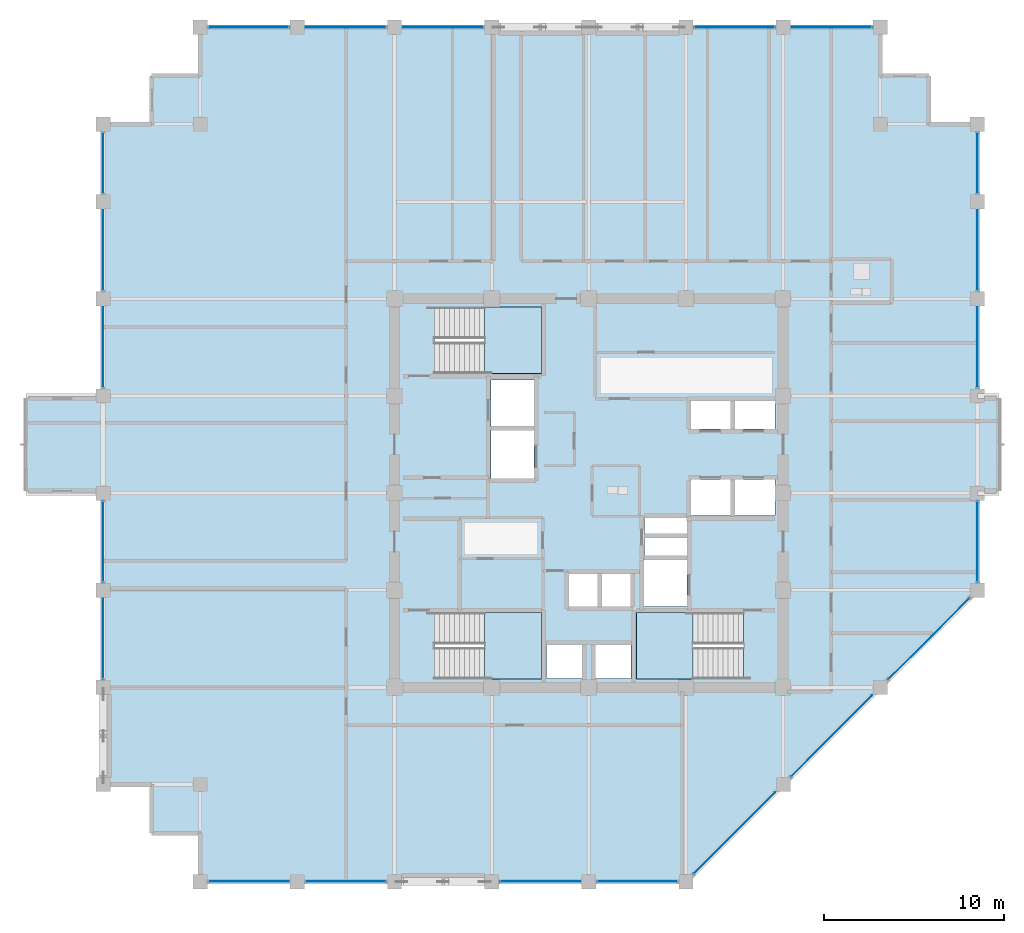
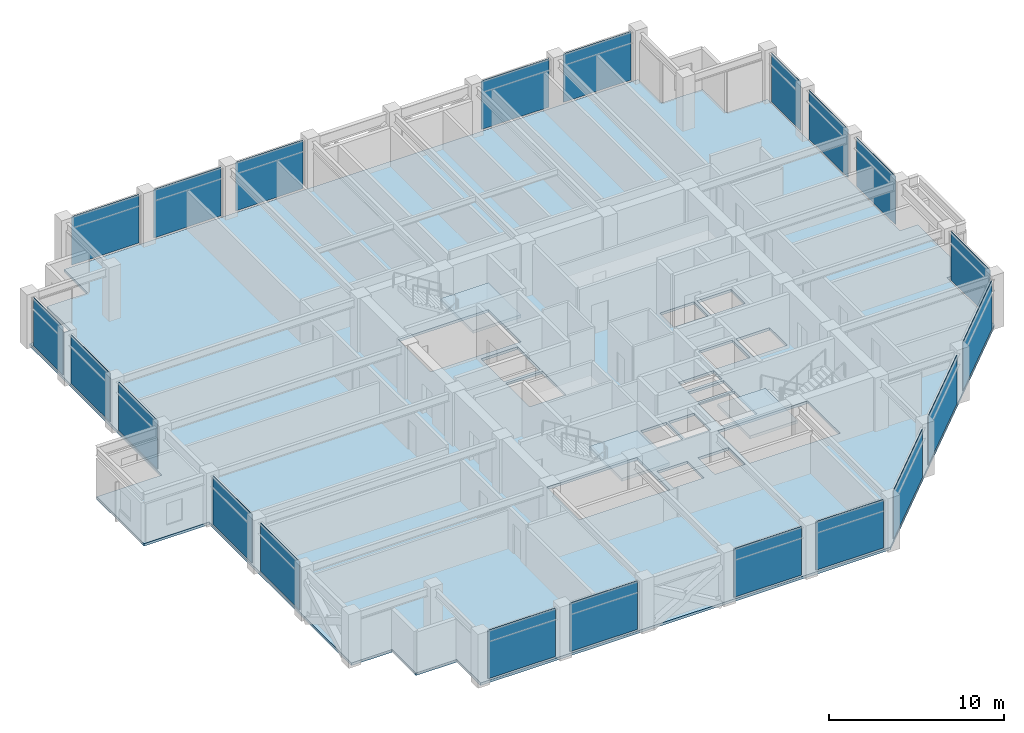
# One storey, part 21 of 28: 21 plates, 4 slabs, 12 elements without a shape of their own.
"""IFC4 building model written with IfcOpenShell, lengths in metres."""

from ifc_helpers import new_model, si_unit, direction, frame, frame_2d, origin, place, context, subcontext, project, spatial, polyline, rectangle, outline, extrude, material, layer, layer_set, type_object, element, aggregate, save


model = new_model("IFC4")

# Units and contexts
model_context = context("Model", 3, precision=1e-05, world=origin(), true_north=direction((0.0, 1.0)))
body_context = subcontext(model_context, "Body", "Model", "MODEL_VIEW")
ifc_project = project(units=[si_unit("LENGTHUNIT", "METRE"), si_unit("AREAUNIT", "SQUARE_METRE"), si_unit("VOLUMEUNIT", "CUBIC_METRE"), si_unit("PLANEANGLEUNIT", "RADIAN"), si_unit("MASSUNIT", "GRAM", prefix="KILO")], contexts=[model_context])

# Site, building, storey
site_placement = place(None, origin())
site = spatial("IfcSite", under=ifc_project, at=site_placement, CompositionType="ELEMENT")
building_placement = place(site_placement, origin())
building = spatial("IfcBuilding", under=site, at=building_placement, Name="Surkhivell Harbour Commons", CompositionType="ELEMENT")
storey_placement = place(building_placement, frame((0.0, 0.0, 246.0)))
storey = spatial("IfcBuildingStorey", under=building, at=storey_placement, Name="L64", CompositionType="ELEMENT", Elevation=246.0)

# Curtain wall, plates
ifc_material_1 = material(Name="Anodised pale-metal aluminium and insulated glazing", Category="aluminium")
ifc_layer_1 = layer(ifc_material_1, 0.18994140625)
ifc_layer_set_1 = layer_set([ifc_layer_1], Name="Anodised pale-metal aluminium and insulated glazing")
curtain_wall_type = type_object("IfcCurtainWallType", Name="CW-SYS-Z3", PredefinedType="NOTDEFINED", material=ifc_layer_set_1)
curtain_wall_1_placement = place(storey_placement, origin())
curtain_wall_1 = element("IfcCurtainWall", 1, at=curtain_wall_1_placement, inside=storey, type_object=curtain_wall_type, Name="L64 Curtain Wall CW-L64-E00S1", PredefinedType="NOTDEFINED")
ifc_material_2 = material(Name="High-pressure typhoon laminated vision glass", Category="glass")
ifc_layer_2 = layer(ifc_material_2, 0.035888671875)
ifc_layer_set_2 = layer_set([ifc_layer_2], Name="High-pressure typhoon laminated vision glass")
plate_type = type_object("IfcPlateType", Name="CWP-GLZ-36", PredefinedType="CURTAIN_PANEL", material=ifc_layer_set_2)
plate_1_placement = place(storey_placement, frame((-21.123046875, -21.60009765625, 0.1298828125), z_axis=(0.0, 0.0, 1.0), x_axis=(1.0, 0.0, 0.0)))
plate_1 = element("IfcPlate", 2, at=plate_1_placement, type_object=plate_type, Name="CW-Z3 panel 1.1", PredefinedType="CURTAIN_PANEL", context=body_context, shape_type="SweptSolid", body=[
    extrude(rectangle(XDim=4.446044921875, YDim=0.035888671875, at=frame_2d((2.22314453125, 0.0))), origin(), (0.0, 0.0, 1.0), 3.3701171875),
])
plate_2_placement = place(storey_placement, frame((-15.722900390625, -21.60009765625, 0.1298828125), z_axis=(0.0, 0.0, 1.0), x_axis=(1.0, 0.0, 0.0)))
plate_2 = element("IfcPlate", 3, at=plate_2_placement, type_object=plate_type, Name="CW-Z3 panel 2.1", PredefinedType="CURTAIN_PANEL", context=body_context, shape_type="SweptSolid", body=[
    extrude(rectangle(XDim=4.44580078125, YDim=0.035888671875, at=frame_2d((2.222900390625, 0.0))), origin(), (0.0, 0.0, 1.0), 3.3701171875),
])
aggregate(curtain_wall_1, [plate_1, plate_2])

curtain_wall_2_placement = place(storey_placement, origin())
curtain_wall_2 = element("IfcCurtainWall", 4, at=curtain_wall_2_placement, inside=storey, type_object=curtain_wall_type, Name="L64 Curtain Wall CW-L64-E00S2", PredefinedType="NOTDEFINED")
plate_3_placement = place(storey_placement, frame((-4.923095703125, -21.60009765625, 0.1298828125), z_axis=(0.0, 0.0, 1.0), x_axis=(1.0, 0.0, 0.0)))
plate_3 = element("IfcPlate", 5, at=plate_3_placement, type_object=plate_type, Name="CW-Z3 panel 1.1", PredefinedType="CURTAIN_PANEL", context=body_context, shape_type="SweptSolid", body=[
    extrude(rectangle(XDim=4.446044921875, YDim=0.035888671875, at=frame_2d((2.22314453125, 0.0))), origin(), (0.0, 0.0, 1.0), 3.3701171875),
])
plate_4_placement = place(storey_placement, frame((0.47705078125, -21.60009765625, 0.1298828125), z_axis=(0.0, 0.0, 1.0), x_axis=(1.0, 0.0, 0.0)))
plate_4 = element("IfcPlate", 6, at=plate_4_placement, type_object=plate_type, Name="CW-Z3 panel 2.1", PredefinedType="CURTAIN_PANEL", context=body_context, shape_type="SweptSolid", body=[
    extrude(rectangle(XDim=4.446044921875, YDim=0.035888671875, at=frame_2d((2.22314453125, 0.0))), origin(), (0.0, 0.0, 1.0), 3.3701171875),
])
aggregate(curtain_wall_2, [plate_3, plate_4])

curtain_wall_3_placement = place(storey_placement, origin())
curtain_wall_3 = element("IfcCurtainWall", 7, at=curtain_wall_3_placement, inside=storey, type_object=curtain_wall_type, Name="L64 Curtain Wall CW-L64-E01", PredefinedType="NOTDEFINED")
plate_5_placement = place(storey_placement, frame((5.854736328125, -21.145263671875, 0.1298828125), z_axis=(0.0, 0.0, 1.0), x_axis=(0.707106781187, 0.707106781187, 0.0)))
plate_5 = element("IfcPlate", 8, at=plate_5_placement, type_object=plate_type, Name="CW-Z3 panel 1.1", PredefinedType="CURTAIN_PANEL", context=body_context, shape_type="SweptSolid", body=[
    extrude(rectangle(XDim=6.3505859375, YDim=0.035888671875, at=frame_2d((3.17529296875, 0.0))), origin(), (0.0, 0.0, 1.0), 3.3701171875),
])
plate_6_placement = place(storey_placement, frame((11.254638671875, -15.745361328125, 0.1298828125), z_axis=(0.0, 0.0, 1.0), x_axis=(0.707106781187, 0.707106781187, 0.0)))
plate_6 = element("IfcPlate", 9, at=plate_6_placement, type_object=plate_type, Name="CW-Z3 panel 2.1", PredefinedType="CURTAIN_PANEL", context=body_context, shape_type="SweptSolid", body=[
    extrude(rectangle(XDim=6.350830078125, YDim=0.035888671875, at=frame_2d((3.17529296875, 0.0))), origin(), (0.0, 0.0, 1.0), 3.3701171875),
])
plate_7_placement = place(storey_placement, frame((16.65478515625, -10.34521484375, 0.1298828125), z_axis=(0.0, 0.0, 1.0), x_axis=(0.707106781187, 0.707106781187, 0.0)))
plate_7 = element("IfcPlate", 10, at=plate_7_placement, type_object=plate_type, Name="CW-Z3 panel 3.1", PredefinedType="CURTAIN_PANEL", context=body_context, shape_type="SweptSolid", body=[
    extrude(rectangle(XDim=6.3505859375, YDim=0.035888671875, at=frame_2d((3.17529296875, 0.0))), origin(), (0.0, 0.0, 1.0), 3.3701171875),
])
aggregate(curtain_wall_3, [plate_5, plate_6, plate_7])

# Curtain wall, plate
curtain_wall_4_placement = place(storey_placement, origin())
curtain_wall_4 = element("IfcCurtainWall", 11, at=curtain_wall_4_placement, inside=storey, type_object=curtain_wall_type, Name="L64 Curtain Wall CW-L64-E02R1", PredefinedType="NOTDEFINED")
plate_8_placement = place(storey_placement, frame((21.60009765625, -4.923095703125, 0.1298828125), z_axis=(0.0, 0.0, 1.0), x_axis=(0.0, 1.0, 0.0)))
plate_8 = element("IfcPlate", 12, at=plate_8_placement, type_object=plate_type, Name="CW-Z3 panel 1.1", PredefinedType="CURTAIN_PANEL", context=body_context, shape_type="SweptSolid", body=[
    extrude(rectangle(XDim=4.446044921875, YDim=0.035888671875, at=frame_2d((2.22314453125, 0.0))), origin(), (0.0, 0.0, 1.0), 3.3701171875),
])
aggregate(curtain_wall_4, [plate_8])

# Curtain wall, plates
curtain_wall_5_placement = place(storey_placement, origin())
curtain_wall_5 = element("IfcCurtainWall", 13, at=curtain_wall_5_placement, inside=storey, type_object=curtain_wall_type, Name="L64 Curtain Wall CW-L64-E02R2", PredefinedType="NOTDEFINED")
plate_9_placement = place(storey_placement, frame((21.60009765625, 5.876953125, 0.1298828125), z_axis=(0.0, 0.0, 1.0), x_axis=(0.0, 1.0, 0.0)))
plate_9 = element("IfcPlate", 14, at=plate_9_placement, type_object=plate_type, Name="CW-Z3 panel 1.1", PredefinedType="CURTAIN_PANEL", context=body_context, shape_type="SweptSolid", body=[
    extrude(rectangle(XDim=4.446044921875, YDim=0.035888671875, at=frame_2d((2.22314453125, 0.0))), origin(), (0.0, 0.0, 1.0), 3.3701171875),
])
plate_10_placement = place(storey_placement, frame((21.60009765625, 11.277099609375, 0.1298828125), z_axis=(0.0, 0.0, 1.0), x_axis=(0.0, 1.0, 0.0)))
plate_10 = element("IfcPlate", 15, at=plate_10_placement, type_object=plate_type, Name="CW-Z3 panel 2.1", PredefinedType="CURTAIN_PANEL", context=body_context, shape_type="SweptSolid", body=[
    extrude(rectangle(XDim=4.44580078125, YDim=0.035888671875, at=frame_2d((2.222900390625, 0.0))), origin(), (0.0, 0.0, 1.0), 3.3701171875),
])
plate_11_placement = place(storey_placement, frame((21.60009765625, 16.677001953125, 0.1298828125), z_axis=(0.0, 0.0, 1.0), x_axis=(0.0, 1.0, 0.0)))
plate_11 = element("IfcPlate", 16, at=plate_11_placement, type_object=plate_type, Name="CW-Z3 panel 3.1", PredefinedType="CURTAIN_PANEL", context=body_context, shape_type="SweptSolid", body=[
    extrude(rectangle(XDim=3.345947265625, YDim=0.035888671875, at=frame_2d((1.6728515625, 0.0))), origin(), (0.0, 0.0, 1.0), 3.3701171875),
])
aggregate(curtain_wall_5, [plate_9, plate_10, plate_11])

curtain_wall_6_placement = place(storey_placement, origin())
curtain_wall_6 = element("IfcCurtainWall", 17, at=curtain_wall_6_placement, inside=storey, type_object=curtain_wall_type, Name="L64 Curtain Wall CW-L64-E07S1", PredefinedType="NOTDEFINED")
plate_12_placement = place(storey_placement, frame((15.722900390625, 25.89990234375, 0.1298828125), z_axis=(0.0, 0.0, 1.0), x_axis=(-1.0, 0.0, 0.0)))
plate_12 = element("IfcPlate", 18, at=plate_12_placement, type_object=plate_type, Name="CW-Z3 panel 1.1", PredefinedType="CURTAIN_PANEL", context=body_context, shape_type="SweptSolid", body=[
    extrude(rectangle(XDim=4.44580078125, YDim=0.035888671875, at=frame_2d((2.222900390625, 0.0))), origin(), (0.0, 0.0, 1.0), 3.3701171875),
])
plate_13_placement = place(storey_placement, frame((10.322998046875, 25.89990234375, 0.1298828125), z_axis=(0.0, 0.0, 1.0), x_axis=(-1.0, 0.0, 0.0)))
plate_13 = element("IfcPlate", 19, at=plate_13_placement, type_object=plate_type, Name="CW-Z3 panel 2.1", PredefinedType="CURTAIN_PANEL", context=body_context, shape_type="SweptSolid", body=[
    extrude(rectangle(XDim=4.446044921875, YDim=0.035888671875, at=frame_2d((2.22314453125, 0.0))), origin(), (0.0, 0.0, 1.0), 3.3701171875),
])
aggregate(curtain_wall_6, [plate_12, plate_13])

curtain_wall_7_placement = place(storey_placement, origin())
curtain_wall_7 = element("IfcCurtainWall", 20, at=curtain_wall_7_placement, inside=storey, type_object=curtain_wall_type, Name="L64 Curtain Wall CW-L64-E07S2", PredefinedType="NOTDEFINED")
plate_14_placement = place(storey_placement, frame((-5.876953125, 25.89990234375, 0.1298828125), z_axis=(0.0, 0.0, 1.0), x_axis=(-1.0, 0.0, 0.0)))
plate_14 = element("IfcPlate", 21, at=plate_14_placement, type_object=plate_type, Name="CW-Z3 panel 1.1", PredefinedType="CURTAIN_PANEL", context=body_context, shape_type="SweptSolid", body=[
    extrude(rectangle(XDim=4.446044921875, YDim=0.035888671875, at=frame_2d((2.22314453125, 0.0))), origin(), (0.0, 0.0, 1.0), 3.3701171875),
])
plate_15_placement = place(storey_placement, frame((-11.277099609375, 25.89990234375, 0.1298828125), z_axis=(0.0, 0.0, 1.0), x_axis=(-1.0, 0.0, 0.0)))
plate_15 = element("IfcPlate", 22, at=plate_15_placement, type_object=plate_type, Name="CW-Z3 panel 2.1", PredefinedType="CURTAIN_PANEL", context=body_context, shape_type="SweptSolid", body=[
    extrude(rectangle(XDim=4.44580078125, YDim=0.035888671875, at=frame_2d((2.222900390625, 0.0))), origin(), (0.0, 0.0, 1.0), 3.3701171875),
])
plate_16_placement = place(storey_placement, frame((-16.677001953125, 25.89990234375, 0.1298828125), z_axis=(0.0, 0.0, 1.0), x_axis=(-1.0, 0.0, 0.0)))
plate_16 = element("IfcPlate", 23, at=plate_16_placement, type_object=plate_type, Name="CW-Z3 panel 3.1", PredefinedType="CURTAIN_PANEL", context=body_context, shape_type="SweptSolid", body=[
    extrude(rectangle(XDim=4.446044921875, YDim=0.035888671875, at=frame_2d((2.22314453125, 0.0))), origin(), (0.0, 0.0, 1.0), 3.3701171875),
])
aggregate(curtain_wall_7, [plate_14, plate_15, plate_16])

curtain_wall_8_placement = place(storey_placement, origin())
curtain_wall_8 = element("IfcCurtainWall", 24, at=curtain_wall_8_placement, inside=storey, type_object=curtain_wall_type, Name="L64 Curtain Wall CW-L64-E12R1S1", PredefinedType="NOTDEFINED")
plate_17_placement = place(storey_placement, frame((-27.0, -10.322998046875, 0.1298828125), z_axis=(0.0, 0.0, 1.0), x_axis=(0.0, 1.0, 0.0)))
plate_17 = element("IfcPlate", 25, at=plate_17_placement, type_object=plate_type, Name="CW-Z3 panel 1.1", PredefinedType="CURTAIN_PANEL", context=body_context, shape_type="SweptSolid", body=[
    extrude(rectangle(XDim=4.446044921875, YDim=0.035888671875, at=frame_2d((2.22314453125, 0.0))), origin(), (0.0, 0.0, 1.0), 3.3701171875),
])
plate_18_placement = place(storey_placement, frame((-27.0, -4.923095703125, 0.1298828125), z_axis=(0.0, 0.0, 1.0), x_axis=(0.0, 1.0, 0.0)))
plate_18 = element("IfcPlate", 26, at=plate_18_placement, type_object=plate_type, Name="CW-Z3 panel 2.1", PredefinedType="CURTAIN_PANEL", context=body_context, shape_type="SweptSolid", body=[
    extrude(rectangle(XDim=4.446044921875, YDim=0.035888671875, at=frame_2d((2.22314453125, 0.0))), origin(), (0.0, 0.0, 1.0), 3.3701171875),
])
aggregate(curtain_wall_8, [plate_17, plate_18])

curtain_wall_9_placement = place(storey_placement, origin())
curtain_wall_9 = element("IfcCurtainWall", 27, at=curtain_wall_9_placement, inside=storey, type_object=curtain_wall_type, Name="L64 Curtain Wall CW-L64-E12R2", PredefinedType="NOTDEFINED")
plate_19_placement = place(storey_placement, frame((-27.0, 5.876953125, 0.1298828125), z_axis=(0.0, 0.0, 1.0), x_axis=(0.0, 1.0, 0.0)))
plate_19 = element("IfcPlate", 28, at=plate_19_placement, type_object=plate_type, Name="CW-Z3 panel 1.1", PredefinedType="CURTAIN_PANEL", context=body_context, shape_type="SweptSolid", body=[
    extrude(rectangle(XDim=4.446044921875, YDim=0.035888671875, at=frame_2d((2.22314453125, 0.0))), origin(), (0.0, 0.0, 1.0), 3.3701171875),
])
plate_20_placement = place(storey_placement, frame((-27.0, 11.277099609375, 0.1298828125), z_axis=(0.0, 0.0, 1.0), x_axis=(0.0, 1.0, 0.0)))
plate_20 = element("IfcPlate", 29, at=plate_20_placement, type_object=plate_type, Name="CW-Z3 panel 2.1", PredefinedType="CURTAIN_PANEL", context=body_context, shape_type="SweptSolid", body=[
    extrude(rectangle(XDim=4.44580078125, YDim=0.035888671875, at=frame_2d((2.222900390625, 0.0))), origin(), (0.0, 0.0, 1.0), 3.3701171875),
])
plate_21_placement = place(storey_placement, frame((-27.0, 16.677001953125, 0.1298828125), z_axis=(0.0, 0.0, 1.0), x_axis=(0.0, 1.0, 0.0)))
plate_21 = element("IfcPlate", 30, at=plate_21_placement, type_object=plate_type, Name="CW-Z3 panel 3.1", PredefinedType="CURTAIN_PANEL", context=body_context, shape_type="SweptSolid", body=[
    extrude(rectangle(XDim=3.345947265625, YDim=0.035888671875, at=frame_2d((1.6728515625, 0.0))), origin(), (0.0, 0.0, 1.0), 3.3701171875),
])
aggregate(curtain_wall_9, [plate_19, plate_20, plate_21])

# Stair, slab
ifc_material_3 = material(Name="Precast concrete C45/55", Category="concrete")
stair_type = type_object("IfcStairType", Name="STR-DL-375", PredefinedType="HALF_TURN_STAIR", material=ifc_material_3)
stair_1_placement = place(storey_placement, origin())
stair_1 = element("IfcStair", 31, at=stair_1_placement, inside=storey, type_object=stair_type, Name="L64 Core Exit Stair ST1", PredefinedType="HALF_TURN_STAIR")
ifc_material_4 = material(Name="Reinforced concrete C45/55", Category="concrete")
ifc_layer_3 = layer(ifc_material_4, 0.199951171875)
ifc_layer_set_3 = layer_set([ifc_layer_3], Name="Reinforced concrete C45/55")
slab_type_1 = type_object("IfcSlabType", Name="SLB-ST-LND200", PredefinedType="LANDING", material=ifc_layer_set_3)
slab_1_placement = place(storey_placement, frame((0.0, 0.0, 1.675048828125)))
slab_1 = element("IfcSlab", 32, at=slab_1_placement, type_object=slab_type_1, Name="ST1 landing 1", PredefinedType="LANDING", context=body_context, shape_type="SweptSolid", body=[
    extrude(outline(polyline([(-5.7900390625, 6.639892578125), (-2.639892578125, 6.639892578125), (-2.639892578125, 10.340087890625), (-5.7900390625, 10.340087890625), (-5.7900390625, 6.639892578125)])), origin(), (0.0, 0.0, 1.0), 0.199951171875),
])
aggregate(stair_1, [slab_1])

stair_2_placement = place(storey_placement, origin())
stair_2 = element("IfcStair", 33, at=stair_2_placement, inside=storey, type_object=stair_type, Name="L64 Core Exit Stair ST2", PredefinedType="HALF_TURN_STAIR")
slab_2_placement = place(storey_placement, frame((0.0, 0.0, 1.675048828125)))
slab_2 = element("IfcSlab", 34, at=slab_2_placement, type_object=slab_type_1, Name="ST2 landing 1", PredefinedType="LANDING", context=body_context, shape_type="SweptSolid", body=[
    extrude(outline(polyline([(5.7900390625, -6.639892578125), (2.639892578125, -6.639892578125), (2.639892578125, -10.340087890625), (5.7900390625, -10.340087890625), (5.7900390625, -6.639892578125)])), origin(), (0.0, 0.0, 1.0), 0.199951171875),
])
aggregate(stair_2, [slab_2])

stair_3_placement = place(storey_placement, origin())
stair_3 = element("IfcStair", 35, at=stair_3_placement, inside=storey, type_object=stair_type, Name="L64 Core Exit Stair ST3", PredefinedType="HALF_TURN_STAIR")
slab_3_placement = place(storey_placement, frame((0.0, 0.0, 1.675048828125)))
slab_3 = element("IfcSlab", 36, at=slab_3_placement, type_object=slab_type_1, Name="ST3 landing 1", PredefinedType="LANDING", context=body_context, shape_type="SweptSolid", body=[
    extrude(outline(polyline([(-5.7900390625, -10.340087890625), (-2.639892578125, -10.340087890625), (-2.639892578125, -6.639892578125), (-5.7900390625, -6.639892578125), (-5.7900390625, -10.340087890625)])), origin(), (0.0, 0.0, 1.0), 0.199951171875),
])
aggregate(stair_3, [slab_3])

# Slab
ifc_material_5 = material(Name="Concrete C45/55", Category="concrete")
ifc_layer_4 = layer(ifc_material_5, 0.179931640625)
ifc_layer_set_4 = layer_set([ifc_layer_4], Name="Concrete C45/55")
slab_type_2 = type_object("IfcSlabType", Name="SLB-TYP-180", PredefinedType="FLOOR", material=ifc_layer_set_4)
slab_4_placement = place(storey_placement, frame((0.0, 0.0, -0.179931640625)))
element("IfcSlab", 37, at=slab_4_placement, inside=storey, type_object=slab_type_2, Name="L64 Structural Floor Slab", PredefinedType="FLOOR", context=body_context, shape_type="SweptSolid", body=[
    extrude(outline(polyline([(-27.0, 20.5), (-27.0, 5.39990234375), (-31.300048828125, 5.39990234375), (-31.300048828125, 0.0), (-27.0, 0.0), (-27.0, -16.199951171875), (-24.300048828125, -16.199951171875), (-24.300048828125, -18.89990234375), (-21.60009765625, -18.89990234375), (-21.60009765625, -21.60009765625), (5.39990234375, -21.60009765625), (21.60009765625, -5.39990234375), (21.60009765625, 0.0), (22.800048828125, 0.0), (22.800048828125, 5.39990234375), (21.60009765625, 5.39990234375), (21.60009765625, 20.5), (18.89990234375, 20.5), (18.89990234375, 23.199951171875), (16.199951171875, 23.199951171875), (16.199951171875, 25.89990234375), (-21.60009765625, 25.89990234375), (-21.60009765625, 23.199951171875), (-24.300048828125, 23.199951171875), (-24.300048828125, 20.5), (-27.0, 20.5)]), holes=[polyline([(-8.590087890625, 6.639892578125), (-2.639892578125, 6.639892578125), (-2.639892578125, 10.340087890625), (-8.590087890625, 10.340087890625), (-8.590087890625, 6.639892578125)]), polyline([(8.590087890625, -6.639892578125), (2.639892578125, -6.639892578125), (2.639892578125, -10.340087890625), (8.590087890625, -10.340087890625), (8.590087890625, -6.639892578125)]), polyline([(-8.590087890625, -10.340087890625), (-2.639892578125, -10.340087890625), (-2.639892578125, -6.639892578125), (-8.590087890625, -6.639892578125), (-8.590087890625, -10.340087890625)]), polyline([(5.64990234375, 3.550048828125), (7.89990234375, 3.550048828125), (7.89990234375, 5.14990234375), (5.64990234375, 5.14990234375), (5.64990234375, 3.550048828125)]), polyline([(8.10009765625, 3.550048828125), (10.35009765625, 3.550048828125), (10.35009765625, 5.14990234375), (8.10009765625, 5.14990234375), (8.10009765625, 3.550048828125)]), polyline([(5.64990234375, -1.25), (7.89990234375, -1.25), (7.89990234375, 0.75), (5.64990234375, 0.75), (5.64990234375, -1.25)]), polyline([(8.10009765625, -1.25), (10.35009765625, -1.25), (10.35009765625, 0.75), (8.10009765625, 0.75), (8.10009765625, -1.25)]), polyline([(-1.14990234375, -6.35009765625), (0.550048828125, -6.35009765625), (0.550048828125, -4.449951171875), (-1.14990234375, -4.449951171875), (-1.14990234375, -6.35009765625)]), polyline([(0.679931640625, -6.35009765625), (2.3798828125, -6.35009765625), (2.3798828125, -4.449951171875), (0.679931640625, -4.449951171875), (0.679931640625, -6.35009765625)]), polyline([(-2.35009765625, -10.300048828125), (-0.35009765625, -10.300048828125), (-0.35009765625, -8.39990234375), (-2.35009765625, -8.39990234375), (-2.35009765625, -10.300048828125)]), polyline([(0.35009765625, -10.300048828125), (2.35009765625, -10.300048828125), (2.35009765625, -8.39990234375), (0.35009765625, -8.39990234375), (0.35009765625, -10.300048828125)]), polyline([(-5.449951171875, 3.699951171875), (-3.050048828125, 3.699951171875), (-3.050048828125, 6.300048828125), (-5.449951171875, 6.300048828125), (-5.449951171875, 3.699951171875)]), polyline([(3.050048828125, -6.300048828125), (5.449951171875, -6.300048828125), (5.449951171875, -3.699951171875), (3.050048828125, -3.699951171875), (3.050048828125, -6.300048828125)]), polyline([(-5.449951171875, 0.800048828125), (-3.050048828125, 0.800048828125), (-3.050048828125, 3.5), (-5.449951171875, 3.5), (-5.449951171875, 0.800048828125)]), polyline([(3.10009765625, -3.550048828125), (5.449951171875, -3.550048828125), (5.449951171875, -2.47998046875), (3.10009765625, -2.47998046875), (3.10009765625, -3.550048828125)]), polyline([(3.10009765625, -2.280029296875), (5.449951171875, -2.280029296875), (5.449951171875, -1.35009765625), (3.10009765625, -1.35009765625), (3.10009765625, -2.280029296875)])]), origin(), (0.0, 0.0, 1.0), 0.179931640625),
])

save(model, "model.ifc")
